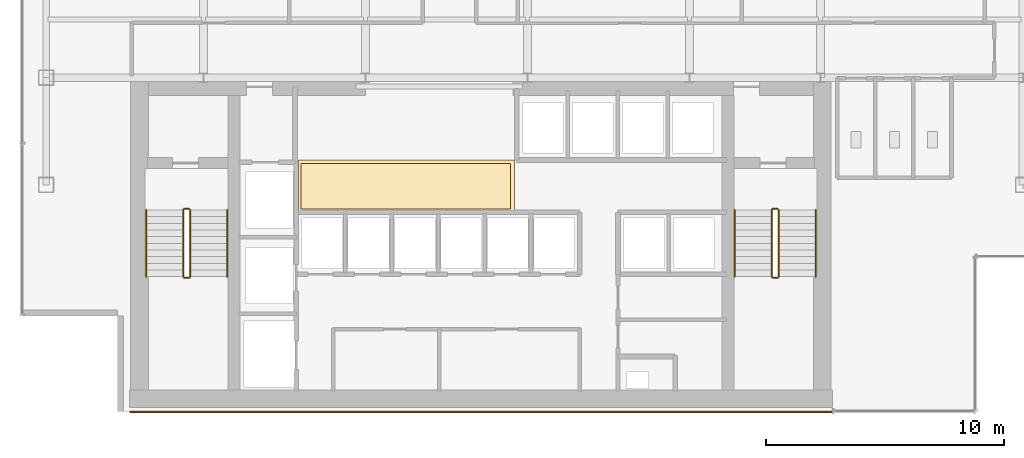
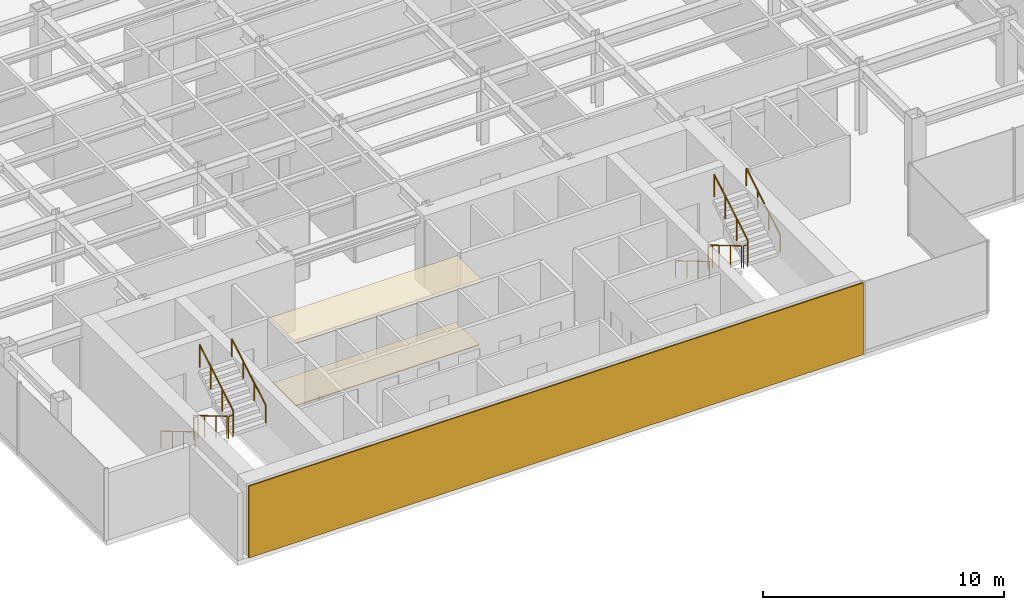
# One storey, part 23 of 25: 12 railings, 3 coverings.
"""IFC4 building model written with IfcOpenShell, lengths in metres."""

from ifc_helpers import new_model, si_unit, derived_unit, direction, frame, origin, origin_2d, place, context, subcontext, project, spatial, polyline, rectangle, circle, outline, extrude, source, transform, mapped, material, layer, layer_set, type_object, element, save


model = new_model("IFC4")

# Units and contexts
model_context = context("Model", 3, precision=1e-05, world=origin(), true_north=direction((0.0, 1.0)))
body_context = subcontext(model_context, "Body", "Model", "MODEL_VIEW")
ifc_project = project(units=[si_unit("LENGTHUNIT", "METRE"), si_unit("AREAUNIT", "SQUARE_METRE"), si_unit("VOLUMEUNIT", "CUBIC_METRE"), si_unit("PLANEANGLEUNIT", "RADIAN"), si_unit("MASSUNIT", "GRAM", prefix="KILO"), derived_unit("THERMALTRANSMITTANCEUNIT", [(si_unit("POWERUNIT", "WATT"), 1), (si_unit("LENGTHUNIT", "METRE"), -2), (si_unit("THERMODYNAMICTEMPERATUREUNIT", "KELVIN"), -1)])], contexts=[model_context])

# Site, building, storey
site_placement = place(None, origin())
site = spatial("IfcSite", under=ifc_project, at=site_placement, CompositionType="ELEMENT")
building_placement = place(site_placement, origin())
building = spatial("IfcBuilding", under=site, at=building_placement, Name="Skarnbrae Concourse Arena and Tower", CompositionType="ELEMENT")
storey_placement = place(building_placement, frame((0.0, 0.0, 173.449951171875)))
storey = spatial("IfcBuildingStorey", under=building, at=storey_placement, Name="L44", CompositionType="ELEMENT", Elevation=173.449951171875)

# Coverings
ifc_material_1 = material(Name="Mineral fibre acoustic ceiling tile", Category="other")
ifc_layer_1 = layer(ifc_material_1, 0.0400390625)
ifc_layer_set_1 = layer_set([ifc_layer_1], Name="Mineral fibre acoustic ceiling tile")
covering_type_1 = type_object("IfcCoveringType", Name="COV-CEIL-ACOUSTIC", PredefinedType="CEILING", material=ifc_layer_set_1)
covering_1_placement = place(storey_placement, frame((0.0, 0.0, 3.239990234375)))
element("IfcCovering", 1, at=covering_1_placement, inside=storey, type_object=covering_type_1, Name="L44 Lift lobby acoustic ceiling", PredefinedType="CEILING", context=body_context, shape_type="SweptSolid", body=[
    extrude(outline(polyline([(11.60009765625, 8.39990234375), (20.64990234375, 8.39990234375), (20.64990234375, 10.550048828125), (11.60009765625, 10.550048828125), (11.60009765625, 8.39990234375)])), origin(), (0.0, 0.0, 1.0), 0.0400390625),
])
ifc_material_2 = material(Name="Polished granite terrazzo flooring", Category="masonry")
ifc_layer_2 = layer(ifc_material_2, 0.0400390625)
ifc_layer_set_2 = layer_set([ifc_layer_2], Name="Polished granite terrazzo flooring")
covering_type_2 = type_object("IfcCoveringType", Name="COV-FLOOR-TERRAZZO", PredefinedType="FLOORING", material=ifc_layer_set_2)
covering_2_placement = place(storey_placement, origin())
element("IfcCovering", 2, at=covering_2_placement, inside=storey, type_object=covering_type_2, Name="L44 Lift lobby terrazzo flooring", PredefinedType="FLOORING", context=body_context, shape_type="SweptSolid", body=[
    extrude(outline(polyline([(11.699951171875, 8.5), (20.5, 8.5), (20.5, 10.39990234375), (11.699951171875, 10.39990234375), (11.699951171875, 8.5)])), origin(), (0.0, 0.0, 1.0), 0.0400390625),
])

# Railings
ifc_material_3 = material(Name="Steel CSA G40.21 350W", Category="steel")
railing_type_1 = type_object("IfcRailingType", Name="RAIL-HANDRAIL-900", PredefinedType="HANDRAIL", material=ifc_material_3)
railing_1_placement = place(storey_placement, frame((5.199951171875, 8.449951171875, 0.166015625)))
element("IfcRailing", 3, at=railing_1_placement, inside=storey, type_object=railing_type_1, Name="L44 ST-1 stair handrail 1", PredefinedType="HANDRAIL", context=body_context, shape_type="SweptSolid", body=[
    extrude(circle(Radius=0.02392578125, at=origin_2d()), frame((0.0, 0.0, 0.8759765625), z_axis=(0.0, -0.860339051648, 0.50972219513), x_axis=(1.0, 0.0, 0.0)), (0.0, 0.0, 1.0), 3.254638671875),
    extrude(circle(Radius=0.02099609375, at=origin_2d()), origin(), (0.0, 0.0, 1.0), 0.851806640625),
    extrude(circle(Radius=0.02099609375, at=origin_2d()), frame((0.0, -0.933349609375, 0.552978515625)), (0.0, 0.0, 1.0), 0.851806640625),
    extrude(circle(Radius=0.02099609375, at=origin_2d()), frame((0.0, -1.86669921875, 1.10595703125)), (0.0, 0.0, 1.0), 0.851806640625),
    extrude(circle(Radius=0.02099609375, at=origin_2d()), frame((0.0, -2.800048828125, 1.658935546875)), (0.0, 0.0, 1.0), 0.851806640625),
])
railing_2_placement = place(storey_placement, frame((8.60009765625, 5.64990234375, 1.990966796875)))
element("IfcRailing", 4, at=railing_2_placement, inside=storey, type_object=railing_type_1, Name="L44 ST-1 stair handrail 2", PredefinedType="HANDRAIL", context=body_context, shape_type="SweptSolid", body=[
    extrude(circle(Radius=0.02392578125, at=origin_2d()), frame((0.0, 0.0, 0.8759765625), z_axis=(0.0, 0.860306154799, 0.50977771628), x_axis=(-1.0, 0.0, 0.0)), (0.0, 0.0, 1.0), 3.254638671875),
    extrude(circle(Radius=0.02099609375, at=origin_2d()), origin(), (0.0, 0.0, 1.0), 0.851806640625),
    extrude(circle(Radius=0.02099609375, at=origin_2d()), frame((0.0, 0.933349609375, 0.552978515625)), (0.0, 0.0, 1.0), 0.851806640625),
    extrude(circle(Radius=0.02099609375, at=origin_2d()), frame((0.0, 1.86669921875, 1.106201171875)), (0.0, 0.0, 1.0), 0.851806640625),
    extrude(circle(Radius=0.02099609375, at=origin_2d()), frame((0.0, 2.800048828125, 1.6591796875)), (0.0, 0.0, 1.0), 0.851806640625),
])
railing_3_placement = place(storey_placement, frame((29.89990234375, 8.449951171875, 0.166015625)))
element("IfcRailing", 5, at=railing_3_placement, inside=storey, type_object=railing_type_1, Name="L44 ST-2 stair handrail 1", PredefinedType="HANDRAIL", context=body_context, shape_type="SweptSolid", body=[
    extrude(circle(Radius=0.02392578125, at=origin_2d()), frame((0.0, 0.0, 0.8759765625), z_axis=(0.0, -0.860339051648, 0.50972219513), x_axis=(1.0, 0.0, 0.0)), (0.0, 0.0, 1.0), 3.254638671875),
    extrude(circle(Radius=0.02099609375, at=origin_2d()), origin(), (0.0, 0.0, 1.0), 0.851806640625),
    extrude(circle(Radius=0.02099609375, at=origin_2d()), frame((0.0, -0.933349609375, 0.552978515625)), (0.0, 0.0, 1.0), 0.851806640625),
    extrude(circle(Radius=0.02099609375, at=origin_2d()), frame((0.0, -1.86669921875, 1.10595703125)), (0.0, 0.0, 1.0), 0.851806640625),
    extrude(circle(Radius=0.02099609375, at=origin_2d()), frame((0.0, -2.800048828125, 1.658935546875)), (0.0, 0.0, 1.0), 0.851806640625),
])
railing_4_placement = place(storey_placement, frame((33.300048828125, 5.64990234375, 1.990966796875)))
element("IfcRailing", 6, at=railing_4_placement, inside=storey, type_object=railing_type_1, Name="L44 ST-2 stair handrail 2", PredefinedType="HANDRAIL", context=body_context, shape_type="SweptSolid", body=[
    extrude(circle(Radius=0.02392578125, at=origin_2d()), frame((0.0, 0.0, 0.8759765625), z_axis=(0.0, 0.860306154799, 0.50977771628), x_axis=(-1.0, 0.0, 0.0)), (0.0, 0.0, 1.0), 3.254638671875),
    extrude(circle(Radius=0.02099609375, at=origin_2d()), origin(), (0.0, 0.0, 1.0), 0.851806640625),
    extrude(circle(Radius=0.02099609375, at=origin_2d()), frame((0.0, 0.933349609375, 0.552978515625)), (0.0, 0.0, 1.0), 0.851806640625),
    extrude(circle(Radius=0.02099609375, at=origin_2d()), frame((0.0, 1.86669921875, 1.106201171875)), (0.0, 0.0, 1.0), 0.851806640625),
    extrude(circle(Radius=0.02099609375, at=origin_2d()), frame((0.0, 2.800048828125, 1.6591796875)), (0.0, 0.0, 1.0), 0.851806640625),
])
railing_type_2 = type_object("IfcRailingType", Name="RAIL-STAIR-GUARD-1150", PredefinedType="GUARDRAIL", material=ifc_material_3)
railing_5_placement = place(storey_placement, frame((6.75, 8.449951171875, 0.166015625)))
element("IfcRailing", 7, at=railing_5_placement, inside=storey, type_object=railing_type_2, Name="L44 ST-1 stair guard 1", PredefinedType="GUARDRAIL", context=body_context, shape_type="SweptSolid", body=[
    extrude(circle(Radius=0.02392578125, at=origin_2d()), frame((0.0, 0.0, 1.1259765625), z_axis=(0.0, -0.860339051648, 0.50972219513), x_axis=(1.0, 0.0, 0.0)), (0.0, 0.0, 1.0), 3.254638671875),
    extrude(circle(Radius=0.02099609375, at=origin_2d()), origin(), (0.0, 0.0, 1.0), 1.101806640625),
    extrude(circle(Radius=0.02099609375, at=origin_2d()), frame((0.0, -0.933349609375, 0.552978515625)), (0.0, 0.0, 1.0), 1.101806640625),
    extrude(circle(Radius=0.02099609375, at=origin_2d()), frame((0.0, -1.86669921875, 1.10595703125)), (0.0, 0.0, 1.0), 1.101806640625),
    extrude(circle(Radius=0.02099609375, at=origin_2d()), frame((0.0, -2.800048828125, 1.658935546875)), (0.0, 0.0, 1.0), 1.101806640625),
])
railing_6_placement = place(storey_placement, frame((6.800048828125, 5.60009765625, 1.824951171875)))
element("IfcRailing", 8, at=railing_6_placement, inside=storey, type_object=railing_type_2, Name="L44 ST-1 stair guard 2", PredefinedType="GUARDRAIL", context=body_context, shape_type="SweptSolid", body=[
    extrude(circle(Radius=0.02392578125, at=origin_2d()), frame((0.0, 0.0, 1.1259765625), z_axis=(1.0, 0.0, 0.0), x_axis=(0.0, 1.0, 0.0)), (0.0, 0.0, 1.0), 0.199951171875),
    extrude(circle(Radius=0.02099609375, at=origin_2d()), origin(), (0.0, 0.0, 1.0), 1.101806640625),
    extrude(circle(Radius=0.02099609375, at=origin_2d()), frame((0.199951171875, 0.0, 0.0)), (0.0, 0.0, 1.0), 1.101806640625),
])
railing_7_placement = place(storey_placement, frame((7.050048828125, 5.64990234375, 1.990966796875)))
element("IfcRailing", 9, at=railing_7_placement, inside=storey, type_object=railing_type_2, Name="L44 ST-1 stair guard 3", PredefinedType="GUARDRAIL", context=body_context, shape_type="SweptSolid", body=[
    extrude(circle(Radius=0.02392578125, at=origin_2d()), frame((0.0, 0.0, 1.1259765625), z_axis=(0.0, 0.860306154799, 0.50977771628), x_axis=(-1.0, 0.0, 0.0)), (0.0, 0.0, 1.0), 3.254638671875),
    extrude(circle(Radius=0.02099609375, at=origin_2d()), origin(), (0.0, 0.0, 1.0), 1.101806640625),
    extrude(circle(Radius=0.02099609375, at=origin_2d()), frame((0.0, 0.933349609375, 0.552978515625)), (0.0, 0.0, 1.0), 1.101806640625),
    extrude(circle(Radius=0.02099609375, at=origin_2d()), frame((0.0, 1.86669921875, 1.106201171875)), (0.0, 0.0, 1.0), 1.101806640625),
    extrude(circle(Radius=0.02099609375, at=origin_2d()), frame((0.0, 2.800048828125, 1.6591796875)), (0.0, 0.0, 1.0), 1.101806640625),
])
railing_8_placement = place(storey_placement, frame((6.800048828125, 8.5, 0.0)))
element("IfcRailing", 10, at=railing_8_placement, inside=storey, type_object=railing_type_2, Name="L44 ST-1 stair guard 4", PredefinedType="GUARDRAIL", context=body_context, shape_type="SweptSolid", body=[
    extrude(circle(Radius=0.02392578125, at=origin_2d()), frame((0.0, 0.0, 1.1259765625), z_axis=(1.0, 0.0, 0.0), x_axis=(0.0, 1.0, 0.0)), (0.0, 0.0, 1.0), 0.199951171875),
    extrude(circle(Radius=0.02099609375, at=origin_2d()), origin(), (0.0, 0.0, 1.0), 1.101806640625),
    extrude(circle(Radius=0.02099609375, at=origin_2d()), frame((0.199951171875, 0.0, 0.0)), (0.0, 0.0, 1.0), 1.101806640625),
])
railing_9_placement = place(storey_placement, frame((31.449951171875, 8.449951171875, 0.166015625)))
element("IfcRailing", 11, at=railing_9_placement, inside=storey, type_object=railing_type_2, Name="L44 ST-2 stair guard 1", PredefinedType="GUARDRAIL", context=body_context, shape_type="SweptSolid", body=[
    extrude(circle(Radius=0.02392578125, at=origin_2d()), frame((0.0, 0.0, 1.1259765625), z_axis=(0.0, -0.860339051648, 0.50972219513), x_axis=(1.0, 0.0, 0.0)), (0.0, 0.0, 1.0), 3.254638671875),
    extrude(circle(Radius=0.02099609375, at=origin_2d()), origin(), (0.0, 0.0, 1.0), 1.101806640625),
    extrude(circle(Radius=0.02099609375, at=origin_2d()), frame((0.0, -0.933349609375, 0.552978515625)), (0.0, 0.0, 1.0), 1.101806640625),
    extrude(circle(Radius=0.02099609375, at=origin_2d()), frame((0.0, -1.86669921875, 1.10595703125)), (0.0, 0.0, 1.0), 1.101806640625),
    extrude(circle(Radius=0.02099609375, at=origin_2d()), frame((0.0, -2.800048828125, 1.658935546875)), (0.0, 0.0, 1.0), 1.101806640625),
])
railing_10_placement = place(storey_placement, frame((31.5, 5.60009765625, 1.824951171875)))
element("IfcRailing", 12, at=railing_10_placement, inside=storey, type_object=railing_type_2, Name="L44 ST-2 stair guard 2", PredefinedType="GUARDRAIL", context=body_context, shape_type="SweptSolid", body=[
    extrude(circle(Radius=0.02392578125, at=origin_2d()), frame((0.0, 0.0, 1.1259765625), z_axis=(1.0, 0.0, 0.0), x_axis=(0.0, 1.0, 0.0)), (0.0, 0.0, 1.0), 0.199951171875),
    extrude(circle(Radius=0.02099609375, at=origin_2d()), origin(), (0.0, 0.0, 1.0), 1.101806640625),
    extrude(circle(Radius=0.02099609375, at=origin_2d()), frame((0.199951171875, 0.0, 0.0)), (0.0, 0.0, 1.0), 1.101806640625),
])
railing_11_placement = place(storey_placement, frame((31.75, 5.64990234375, 1.990966796875)))
element("IfcRailing", 13, at=railing_11_placement, inside=storey, type_object=railing_type_2, Name="L44 ST-2 stair guard 3", PredefinedType="GUARDRAIL", context=body_context, shape_type="SweptSolid", body=[
    extrude(circle(Radius=0.02392578125, at=origin_2d()), frame((0.0, 0.0, 1.1259765625), z_axis=(0.0, 0.860306154799, 0.50977771628), x_axis=(-1.0, 0.0, 0.0)), (0.0, 0.0, 1.0), 3.254638671875),
    extrude(circle(Radius=0.02099609375, at=origin_2d()), origin(), (0.0, 0.0, 1.0), 1.101806640625),
    extrude(circle(Radius=0.02099609375, at=origin_2d()), frame((0.0, 0.933349609375, 0.552978515625)), (0.0, 0.0, 1.0), 1.101806640625),
    extrude(circle(Radius=0.02099609375, at=origin_2d()), frame((0.0, 1.86669921875, 1.106201171875)), (0.0, 0.0, 1.0), 1.101806640625),
    extrude(circle(Radius=0.02099609375, at=origin_2d()), frame((0.0, 2.800048828125, 1.6591796875)), (0.0, 0.0, 1.0), 1.101806640625),
])
railing_12_placement = place(storey_placement, frame((31.5, 8.5, 0.0)))
element("IfcRailing", 14, at=railing_12_placement, inside=storey, type_object=railing_type_2, Name="L44 ST-2 stair guard 4", PredefinedType="GUARDRAIL", context=body_context, shape_type="SweptSolid", body=[
    extrude(circle(Radius=0.02392578125, at=origin_2d()), frame((0.0, 0.0, 1.1259765625), z_axis=(1.0, 0.0, 0.0), x_axis=(0.0, 1.0, 0.0)), (0.0, 0.0, 1.0), 0.199951171875),
    extrude(circle(Radius=0.02099609375, at=origin_2d()), origin(), (0.0, 0.0, 1.0), 1.101806640625),
    extrude(circle(Radius=0.02099609375, at=origin_2d()), frame((0.199951171875, 0.0, 0.0)), (0.0, 0.0, 1.0), 1.101806640625),
])

# Covering
ifc_material_4 = material(Name="Bronze anodised aluminium 6063-T6", Category="aluminium")
ifc_layer_3 = layer(ifc_material_4, 0.06005859375)
ifc_layer_set_3 = layer_set([ifc_layer_3], Name="Bronze anodised aluminium 6063-T6")
covering_type_3 = type_object("IfcCoveringType", Name="COV-CLAD-BRONZE-60", PredefinedType="CLADDING", material=ifc_layer_set_3)
shared_shape = source(origin(), body_context, "Body", "SweptSolid", [
    extrude(rectangle(XDim=29.5, YDim=0.06005859375, at=origin_2d()), origin(), (0.0, 0.0, 1.0), 3.64990234375),
])
covering_3_placement = place(storey_placement, frame((19.25, -0.030029296875, 0.0), z_axis=(0.0, 0.0, 1.0), x_axis=(1.0, 0.0, 0.0)))
element("IfcCovering", 15, at=covering_3_placement, inside=storey, type_object=covering_type_3, Name="L44 Rear-core plumb spine bronze rainscreen panel", PredefinedType="CLADDING", context=body_context, shape_type="MappedRepresentation", body=[
    mapped(shared_shape, transform((0.0, 0.0, 0.0))),
])

save(model, "model.ifc")
